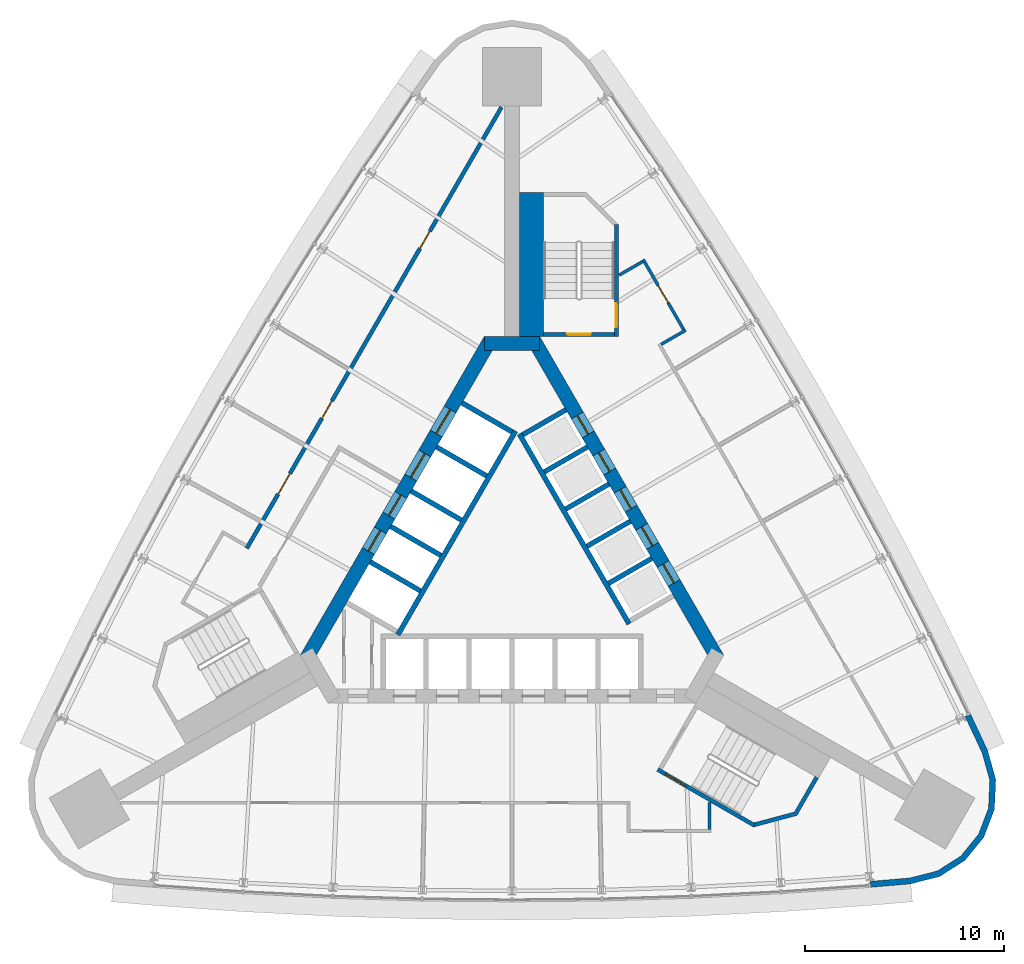
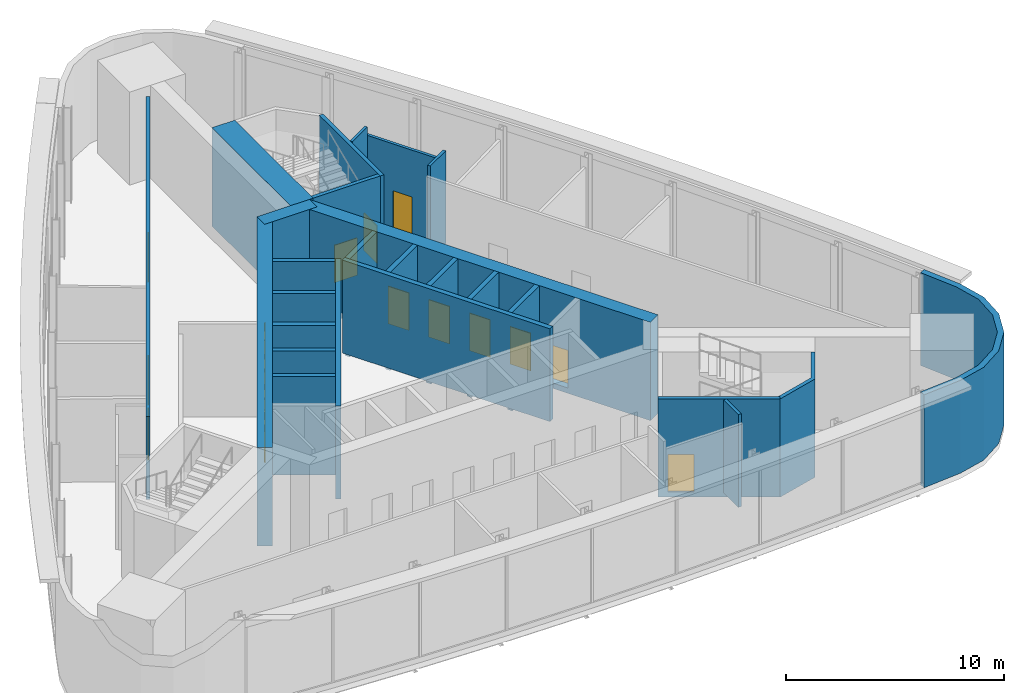
# One storey, part 7 of 11: 26 walls, 16 doors, 16 openings.
"""IFC4 building model written with IfcOpenShell, lengths in metres."""

from ifc_helpers import new_model, si_unit, direction, frame, frame_2d, origin, place, context, subcontext, project, spatial, polyline, rectangle, outline, extrude, material, layer, layer_set, type_object, element, fill, save


model = new_model("IFC4")

# Units and contexts
model_context = context("Model", 3, precision=1e-05, world=origin(), true_north=direction((0.0, 1.0)))
body_context = subcontext(model_context, "Body", "Model", "MODEL_VIEW")
ifc_project = project(units=[si_unit("LENGTHUNIT", "METRE"), si_unit("AREAUNIT", "SQUARE_METRE"), si_unit("VOLUMEUNIT", "CUBIC_METRE"), si_unit("PLANEANGLEUNIT", "RADIAN"), si_unit("MASSUNIT", "GRAM", prefix="KILO")], contexts=[model_context])

# Site, building, storey
site_placement = place(None, origin())
site = spatial("IfcSite", under=ifc_project, at=site_placement, CompositionType="ELEMENT")
building_placement = place(site_placement, origin())
building = spatial("IfcBuilding", under=site, at=building_placement, Name="Noor Cloister Tower", CompositionType="ELEMENT")
storey_placement = place(building_placement, frame((0.0, 0.0, 134.699951171875)))
storey = spatial("IfcBuildingStorey", under=building, at=storey_placement, Name="L34", CompositionType="ELEMENT", Elevation=134.699951171875)

# Wall, openings, doors
ifc_material_1 = material(Name="Concrete C70/85", Category="concrete")
ifc_layer_1 = layer(ifc_material_1, 0.699951171875)
ifc_layer_set_1 = layer_set([ifc_layer_1], Name="Core wall 700 C70/85")
wall_type_1 = type_object("IfcWallType", Name="Core wall 700 C70/85", PredefinedType="SHEAR", material=ifc_layer_set_1)
wall_1_placement = place(storey_placement, frame((10.311279296875, -4.703125, -0.300048828125), z_axis=(0.0, 0.0, 1.0), x_axis=(-0.500001446645, 0.866024568562, 0.0)))
wall_1 = element("IfcWall", 1, at=wall_1_placement, inside=storey, type_object=wall_type_1, Name="Core wall L34 3", PredefinedType="SHEAR", context=body_context, shape_type="SweptSolid", body=[
    extrude(rectangle(XDim=18.45751953125, YDim=0.699951171875, at=frame_2d((9.228759765625, 0.0))), origin(), (0.0, 0.0, 1.0), 5.5),
])
opening_1_placement = place(wall_1_placement, frame((4.378662109375, 0.0, 0.300048828125)))
opening_1 = element("IfcOpeningElement", 2, at=opening_1_placement, cuts=wall_1, Name="Opening L34-HR1", PredefinedType="OPENING", context=body_context, shape_type="SweptSolid", body=[
    extrude(rectangle(XDim=1.10009765625, YDim=2.10009765625, at=frame_2d((0.550048828125, 1.050048828125))), frame((0.0, 0.35986328125, 0.0), z_axis=(0.0, -1.0, 0.0), x_axis=(1.0, 0.0, 0.0)), (0.0, 0.0, 1.0), 0.719970703125),
])
opening_2_placement = place(wall_1_placement, frame((6.52880859375, 0.0, 0.300048828125)))
opening_2 = element("IfcOpeningElement", 3, at=opening_2_placement, cuts=wall_1, Name="Opening L34-HR2", PredefinedType="OPENING", context=body_context, shape_type="SweptSolid", body=[
    extrude(rectangle(XDim=1.10009765625, YDim=2.10009765625, at=frame_2d((0.550048828125, 1.050048828125))), frame((0.0, 0.35986328125, 0.0), z_axis=(0.0, -1.0, 0.0), x_axis=(1.0, 0.0, 0.0)), (0.0, 0.0, 1.0), 0.719970703125),
])
opening_3_placement = place(wall_1_placement, frame((8.6787109375, 0.0, 0.300048828125)))
opening_3 = element("IfcOpeningElement", 4, at=opening_3_placement, cuts=wall_1, Name="Opening L34-HR3", PredefinedType="OPENING", context=body_context, shape_type="SweptSolid", body=[
    extrude(rectangle(XDim=1.10009765625, YDim=2.10009765625, at=frame_2d((0.550048828125, 1.050048828125))), frame((0.0, 0.35986328125, 0.0), z_axis=(0.0, -1.0, 0.0), x_axis=(1.0, 0.0, 0.0)), (0.0, 0.0, 1.0), 0.719970703125),
])
opening_4_placement = place(wall_1_placement, frame((10.82861328125, 0.0, 0.300048828125)))
opening_4 = element("IfcOpeningElement", 5, at=opening_4_placement, cuts=wall_1, Name="Opening L34-HR4", PredefinedType="OPENING", context=body_context, shape_type="SweptSolid", body=[
    extrude(rectangle(XDim=1.10009765625, YDim=2.10009765625, at=frame_2d((0.550048828125, 1.050048828125))), frame((0.0, 0.35986328125, 0.0), z_axis=(0.0, -1.0, 0.0), x_axis=(1.0, 0.0, 0.0)), (0.0, 0.0, 1.0), 0.719970703125),
])
opening_5_placement = place(wall_1_placement, frame((12.978759765625, 0.0, 0.300048828125)))
opening_5 = element("IfcOpeningElement", 6, at=opening_5_placement, cuts=wall_1, Name="Opening L34-HR5", PredefinedType="OPENING", context=body_context, shape_type="SweptSolid", body=[
    extrude(rectangle(XDim=1.10009765625, YDim=2.10009765625, at=frame_2d((0.550048828125, 1.050048828125))), frame((0.0, 0.35986328125, 0.0), z_axis=(0.0, -1.0, 0.0), x_axis=(1.0, 0.0, 0.0)), (0.0, 0.0, 1.0), 0.719970703125),
])
ifc_material_2 = material(Name="Stainless steel", Category="steel")
door_type_1 = type_object("IfcDoorType", Name="Lift landing door 1100 x 2100", OperationType="DOUBLE_DOOR_SLIDING", PredefinedType="DOOR", material=ifc_material_2)
door_1_placement = place(opening_1_placement, origin())
door_1 = element("IfcDoor", 7, at=door_1_placement, inside=storey, type_object=door_type_1, Name="Landing door HR1 L34", OperationType="DOUBLE_DOOR_SLIDING", OverallHeight=2.10009765625, OverallWidth=1.10009765625, PredefinedType="DOOR", context=body_context, shape_type="SweptSolid", body=[
    extrude(rectangle(XDim=1.10009765625, YDim=2.10009765625, at=frame_2d((0.550048828125, 1.050048828125))), frame((0.0, 0.02490234375, 0.0), z_axis=(0.0, -1.0, 0.0), x_axis=(1.0, 0.0, 0.0)), (0.0, 0.0, 1.0), 0.050048828125),
])
fill(opening_1, door_1)
door_2_placement = place(opening_2_placement, origin())
door_2 = element("IfcDoor", 8, at=door_2_placement, inside=storey, type_object=door_type_1, Name="Landing door HR2 L34", OperationType="DOUBLE_DOOR_SLIDING", OverallHeight=2.10009765625, OverallWidth=1.10009765625, PredefinedType="DOOR", context=body_context, shape_type="SweptSolid", body=[
    extrude(rectangle(XDim=1.10009765625, YDim=2.10009765625, at=frame_2d((0.550048828125, 1.050048828125))), frame((0.0, 0.02490234375, 0.0), z_axis=(0.0, -1.0, 0.0), x_axis=(1.0, 0.0, 0.0)), (0.0, 0.0, 1.0), 0.050048828125),
])
fill(opening_2, door_2)
door_3_placement = place(opening_3_placement, origin())
door_3 = element("IfcDoor", 9, at=door_3_placement, inside=storey, type_object=door_type_1, Name="Landing door HR3 L34", OperationType="DOUBLE_DOOR_SLIDING", OverallHeight=2.10009765625, OverallWidth=1.10009765625, PredefinedType="DOOR", context=body_context, shape_type="SweptSolid", body=[
    extrude(rectangle(XDim=1.10009765625, YDim=2.10009765625, at=frame_2d((0.550048828125, 1.050048828125))), frame((0.0, 0.02490234375, 0.0), z_axis=(0.0, -1.0, 0.0), x_axis=(1.0, 0.0, 0.0)), (0.0, 0.0, 1.0), 0.050048828125),
])
fill(opening_3, door_3)
door_4_placement = place(opening_4_placement, origin())
door_4 = element("IfcDoor", 10, at=door_4_placement, inside=storey, type_object=door_type_1, Name="Landing door HR4 L34", OperationType="DOUBLE_DOOR_SLIDING", OverallHeight=2.10009765625, OverallWidth=1.10009765625, PredefinedType="DOOR", context=body_context, shape_type="SweptSolid", body=[
    extrude(rectangle(XDim=1.10009765625, YDim=2.10009765625, at=frame_2d((0.550048828125, 1.050048828125))), frame((0.0, 0.02490234375, 0.0), z_axis=(0.0, -1.0, 0.0), x_axis=(1.0, 0.0, 0.0)), (0.0, 0.0, 1.0), 0.050048828125),
])
fill(opening_4, door_4)
door_5_placement = place(opening_5_placement, origin())
door_5 = element("IfcDoor", 11, at=door_5_placement, inside=storey, type_object=door_type_1, Name="Landing door HR5 L34", OperationType="DOUBLE_DOOR_SLIDING", OverallHeight=2.10009765625, OverallWidth=1.10009765625, PredefinedType="DOOR", context=body_context, shape_type="SweptSolid", body=[
    extrude(rectangle(XDim=1.10009765625, YDim=2.10009765625, at=frame_2d((0.550048828125, 1.050048828125))), frame((0.0, 0.02490234375, 0.0), z_axis=(0.0, -1.0, 0.0), x_axis=(1.0, 0.0, 0.0)), (0.0, 0.0, 1.0), 0.050048828125),
])
fill(opening_5, door_5)

# Wall
wall_2_placement = place(storey_placement, frame((1.3857421875, 11.1064453125, -0.300048828125), z_axis=(0.0, 0.0, 1.0), x_axis=(-1.0, 0.0, 0.0)))
element("IfcWall", 12, at=wall_2_placement, inside=storey, type_object=wall_type_1, Name="Core wall L34 4", PredefinedType="SHEAR", context=body_context, shape_type="SweptSolid", body=[
    extrude(rectangle(XDim=2.771484375, YDim=0.699951171875, at=frame_2d((1.3857421875, 0.0))), origin(), (0.0, 0.0, 1.0), 5.5),
])

# Wall, openings, doors
wall_3_placement = place(storey_placement, frame((-1.08251953125, 11.281494140625, -0.300048828125), z_axis=(0.0, 0.0, 1.0), x_axis=(-0.500001446645, -0.866024568562, 0.0)))
wall_3 = element("IfcWall", 13, at=wall_3_placement, inside=storey, type_object=wall_type_1, Name="Core wall L34 5", PredefinedType="SHEAR", context=body_context, shape_type="SweptSolid", body=[
    extrude(rectangle(XDim=18.45751953125, YDim=0.699951171875, at=frame_2d((9.228759765625, 0.0))), origin(), (0.0, 0.0, 1.0), 5.5),
])
opening_6_placement = place(wall_3_placement, frame((4.02880859375, 0.0, 0.300048828125)))
opening_6 = element("IfcOpeningElement", 14, at=opening_6_placement, cuts=wall_3, Name="Opening L34-SH1", PredefinedType="OPENING", context=body_context, shape_type="SweptSolid", body=[
    extrude(rectangle(XDim=1.39990234375, YDim=2.10009765625, at=frame_2d((0.699951171875, 1.050048828125))), frame((0.0, 0.35986328125, 0.0), z_axis=(0.0, -1.0, 0.0), x_axis=(1.0, 0.0, 0.0)), (0.0, 0.0, 1.0), 0.719970703125),
])
opening_7_placement = place(wall_3_placement, frame((6.57861328125, 0.0, 0.300048828125)))
opening_7 = element("IfcOpeningElement", 15, at=opening_7_placement, cuts=wall_3, Name="Opening L34-SH2", PredefinedType="OPENING", context=body_context, shape_type="SweptSolid", body=[
    extrude(rectangle(XDim=1.39990234375, YDim=2.10009765625, at=frame_2d((0.699951171875, 1.050048828125))), frame((0.0, 0.35986328125, 0.0), z_axis=(0.0, -1.0, 0.0), x_axis=(1.0, 0.0, 0.0)), (0.0, 0.0, 1.0), 0.719970703125),
])
opening_8_placement = place(wall_3_placement, frame((8.978759765625, 0.0, 0.300048828125)))
opening_8 = element("IfcOpeningElement", 16, at=opening_8_placement, cuts=wall_3, Name="Opening L34-FF1", PredefinedType="OPENING", context=body_context, shape_type="SweptSolid", body=[
    extrude(rectangle(XDim=1.199951171875, YDim=2.10009765625, at=frame_2d((0.60009765625, 1.050048828125))), frame((0.0, 0.35986328125, 0.0), z_axis=(0.0, -1.0, 0.0), x_axis=(1.0, 0.0, 0.0)), (0.0, 0.0, 1.0), 0.719970703125),
])
opening_9_placement = place(wall_3_placement, frame((11.02880859375, 0.0, 0.300048828125)))
opening_9 = element("IfcOpeningElement", 17, at=opening_9_placement, cuts=wall_3, Name="Opening L34-FF2", PredefinedType="OPENING", context=body_context, shape_type="SweptSolid", body=[
    extrude(rectangle(XDim=1.199951171875, YDim=2.10009765625, at=frame_2d((0.60009765625, 1.050048828125))), frame((0.0, 0.35986328125, 0.0), z_axis=(0.0, -1.0, 0.0), x_axis=(1.0, 0.0, 0.0)), (0.0, 0.0, 1.0), 0.719970703125),
])
ifc_material_3 = material(Name="Stainless steel", Category="steel")
door_type_2 = type_object("IfcDoorType", Name="Lift landing door 1200 x 2100", OperationType="DOUBLE_DOOR_SLIDING", PredefinedType="DOOR", material=ifc_material_3)
door_6_placement = place(opening_8_placement, origin())
door_6 = element("IfcDoor", 18, at=door_6_placement, inside=storey, type_object=door_type_2, Name="Landing door FF1 L34", OperationType="DOUBLE_DOOR_SLIDING", OverallHeight=2.10009765625, OverallWidth=1.199951171875, PredefinedType="DOOR", context=body_context, shape_type="SweptSolid", body=[
    extrude(rectangle(XDim=1.199951171875, YDim=2.10009765625, at=frame_2d((0.60009765625, 1.050048828125))), frame((0.0, 0.02490234375, 0.0), z_axis=(0.0, -1.0, 0.0), x_axis=(1.0, 0.0, 0.0)), (0.0, 0.0, 1.0), 0.050048828125),
])
fill(opening_8, door_6)
door_7_placement = place(opening_9_placement, origin())
door_7 = element("IfcDoor", 19, at=door_7_placement, inside=storey, type_object=door_type_2, Name="Landing door FF2 L34", OperationType="DOUBLE_DOOR_SLIDING", OverallHeight=2.10009765625, OverallWidth=1.199951171875, PredefinedType="DOOR", context=body_context, shape_type="SweptSolid", body=[
    extrude(rectangle(XDim=1.199951171875, YDim=2.10009765625, at=frame_2d((0.60009765625, 1.050048828125))), frame((0.0, 0.02490234375, 0.0), z_axis=(0.0, -1.0, 0.0), x_axis=(1.0, 0.0, 0.0)), (0.0, 0.0, 1.0), 0.050048828125),
])
fill(opening_9, door_7)
ifc_material_4 = material(Name="Stainless steel", Category="steel")
door_type_3 = type_object("IfcDoorType", Name="Lift landing door 1400 x 2100", OperationType="DOUBLE_DOOR_SLIDING", PredefinedType="DOOR", material=ifc_material_4)
door_8_placement = place(opening_6_placement, origin())
door_8 = element("IfcDoor", 20, at=door_8_placement, inside=storey, type_object=door_type_3, Name="Landing door SH1 L34", OperationType="DOUBLE_DOOR_SLIDING", OverallHeight=2.10009765625, OverallWidth=1.39990234375, PredefinedType="DOOR", context=body_context, shape_type="SweptSolid", body=[
    extrude(rectangle(XDim=1.39990234375, YDim=2.10009765625, at=frame_2d((0.699951171875, 1.050048828125))), frame((0.0, 0.02490234375, 0.0), z_axis=(0.0, -1.0, 0.0), x_axis=(1.0, 0.0, 0.0)), (0.0, 0.0, 1.0), 0.050048828125),
])
fill(opening_6, door_8)
door_9_placement = place(opening_7_placement, origin())
door_9 = element("IfcDoor", 21, at=door_9_placement, inside=storey, type_object=door_type_3, Name="Landing door SH2 L34", OperationType="DOUBLE_DOOR_SLIDING", OverallHeight=2.10009765625, OverallWidth=1.39990234375, PredefinedType="DOOR", context=body_context, shape_type="SweptSolid", body=[
    extrude(rectangle(XDim=1.39990234375, YDim=2.10009765625, at=frame_2d((0.699951171875, 1.050048828125))), frame((0.0, 0.02490234375, 0.0), z_axis=(0.0, -1.0, 0.0), x_axis=(1.0, 0.0, 0.0)), (0.0, 0.0, 1.0), 0.050048828125),
])
fill(opening_7, door_9)

# Walls
ifc_material_5 = material(Name="Limestone", Category="masonry")
ifc_layer_2 = layer(ifc_material_5, 0.300048828125)
ifc_layer_set_2 = layer_set([ifc_layer_2], Name="Limestone cladding 300")
wall_type_2 = type_object("IfcWallType", Name="Limestone cladding 300", PredefinedType="NOTDEFINED", material=ifc_layer_set_2)
wall_4_placement = place(storey_placement, origin())
element("IfcWall", 22, at=wall_4_placement, inside=storey, type_object=wall_type_2, Name="Limestone pier cladding L34 2.1", PredefinedType="NOTDEFINED", context=body_context, shape_type="SweptSolid", body=[
    extrude(outline(polyline([(17.980224609375, -16.1689453125), (19.99853515625, -15.995361328125), (21.44921875, -15.625244140625), (22.710693359375, -14.81884765625), (23.65576171875, -13.65771484375), (24.18896484375, -12.258544921875), (24.256591796875, -10.762939453125), (23.851806640625, -9.321533203125), (22.992919921875, -7.48681640625), (22.72119140625, -7.614013671875), (23.569580078125, -9.42626953125), (23.95458984375, -10.797607421875), (23.891357421875, -12.19677734375), (23.392578125, -13.505859375), (22.508544921875, -14.59228515625), (21.328369140625, -15.3466796875), (19.9482421875, -15.69873046875), (17.95458984375, -15.8701171875), (17.980224609375, -16.1689453125)])), origin(), (0.0, 0.0, 1.0), 5.199951171875),
])
ifc_material_6 = material(Name="Concrete C70/85", Category="concrete")
ifc_layer_3 = layer(ifc_material_6, 0.25)
ifc_layer_set_3 = layer_set([ifc_layer_3], Name="Shaft wall 250 C70/85")
wall_type_3 = type_object("IfcWallType", Name="Shaft wall 250 C70/85", PredefinedType="PARTITIONING", material=ifc_layer_set_3)
wall_5_placement = place(storey_placement, frame((7.00634765625, 0.3212890625, -0.300048828125), z_axis=(0.0, 0.0, 1.0), x_axis=(-0.866022959057, -0.500004234368, 0.0)))
element("IfcWall", 23, at=wall_5_placement, inside=storey, type_object=wall_type_3, Name="Lift shaft wall L34 NE 2", PredefinedType="PARTITIONING", context=body_context, shape_type="SweptSolid", body=[
    extrude(rectangle(XDim=2.5, YDim=0.25, at=frame_2d((1.25, 0.0))), origin(), (0.0, 0.0, 1.0), 5.5),
])
wall_6_placement = place(storey_placement, frame((5.931396484375, 2.18310546875, -0.300048828125), z_axis=(0.0, 0.0, 1.0), x_axis=(-0.866047370643, -0.499961950354, 0.0)))
element("IfcWall", 24, at=wall_6_placement, inside=storey, type_object=wall_type_3, Name="Lift shaft wall L34 NE 3", PredefinedType="PARTITIONING", context=body_context, shape_type="SweptSolid", body=[
    extrude(rectangle(XDim=2.500244140625, YDim=0.25, at=frame_2d((1.25, 0.0))), origin(), (0.0, 0.0, 1.0), 5.5),
])
for number, where, z_axis, x_axis, name in (
    (25, (4.856201171875, 4.045166015625, -0.300048828125), (0.0, 0.0, 1.0), (-0.866022959057, -0.500004234368, 0.0), "Lift shaft wall L34 NE 4"),
    (26, (3.78125, 5.906982421875, -0.300048828125), (0.0, 0.0, 1.0), (-0.866022959057, -0.500004234368, 0.0), "Lift shaft wall L34 NE 5"),
    (27, (2.706298828125, 7.76904296875, -0.300048828125), (0.0, 0.0, 1.0), (-0.866022959057, -0.500004234368, 0.0), "Lift shaft wall L34 NE 6"),
):
    element("IfcWall", number, at=place(storey_placement, frame(where, z_axis=z_axis, x_axis=x_axis)), inside=storey, type_object=wall_type_3, Name=name, PredefinedType="PARTITIONING", context=body_context, shape_type="SweptSolid", body=[
        extrude(rectangle(XDim=2.5, YDim=0.25, at=frame_2d((1.25, 0.0))), origin(), (0.0, 0.0, 1.0), 5.5),
    ])
wall_7_placement = place(storey_placement, frame((5.870361328125, -2.96142578125, 0.0), z_axis=(0.0, 0.0, 1.0), x_axis=(-0.50000615651, 0.866021849293, 0.0)))
element("IfcWall", 28, at=wall_7_placement, inside=storey, type_object=wall_type_3, Name="Lift shaft back wall L34 NE", PredefinedType="PARTITIONING", context=body_context, shape_type="SweptSolid", body=[
    extrude(rectangle(XDim=10.999755859375, YDim=0.25, at=frame_2d((5.5, 0.0))), origin(), (0.0, 0.0, 1.0), 5.199951171875),
])
wall_8_placement = place(storey_placement, frame((-2.50634765625, 8.115478515625, -0.300048828125), z_axis=(0.0, 0.0, 1.0), x_axis=(0.865996321171, -0.50005036918, 0.0)))
element("IfcWall", 29, at=wall_8_placement, inside=storey, type_object=wall_type_3, Name="Lift shaft wall L34 NW 1", PredefinedType="PARTITIONING", context=body_context, shape_type="SweptSolid", body=[
    extrude(rectangle(XDim=2.900146484375, YDim=0.25, at=frame_2d((1.4501953125, 0.0))), origin(), (0.0, 0.0, 1.0), 5.5),
])
for number, where, z_axis, x_axis, name in (
    (30, (-3.78125, 5.906982421875, -0.300048828125), (0.0, 0.0, 1.0), (0.866032775405, -0.499987231761, 0.0), "Lift shaft wall L34 NW 2"),
    (31, (-5.056396484375, 3.69873046875, -0.300048828125), (0.0, 0.0, 1.0), (0.866032775405, -0.499987231761, 0.0), "Lift shaft wall L34 NW 3"),
    (32, (-6.081298828125, 1.92333984375, -0.300048828125), (0.0, 0.0, 1.0), (0.866032775405, -0.499987231761, 0.0), "Lift shaft wall L34 NW 4"),
    (33, (-7.106201171875, 0.14794921875, -0.300048828125), (0.0, 0.0, 1.0), (0.866032775405, -0.499987231761, 0.0), "Lift shaft wall L34 NW 5"),
):
    element("IfcWall", number, at=place(storey_placement, frame(where, z_axis=z_axis, x_axis=x_axis)), inside=storey, type_object=wall_type_3, Name=name, PredefinedType="PARTITIONING", context=body_context, shape_type="SweptSolid", body=[
        extrude(rectangle(XDim=2.89990234375, YDim=0.25, at=frame_2d((1.449951171875, 0.0))), origin(), (0.0, 0.0, 1.0), 5.5),
    ])
wall_9_placement = place(storey_placement, frame((0.176025390625, 6.711181640625, 0.0), z_axis=(0.0, 0.0, 1.0), x_axis=(-0.500004227369, -0.866022963098, 0.0)))
element("IfcWall", 34, at=wall_9_placement, inside=storey, type_object=wall_type_3, Name="Lift shaft back wall L34 NW", PredefinedType="PARTITIONING", context=body_context, shape_type="SweptSolid", body=[
    extrude(rectangle(XDim=11.80029296875, YDim=0.25, at=frame_2d((5.900146484375, 0.0))), origin(), (0.0, 0.0, 1.0), 5.199951171875),
])
ifc_material_7 = material(Name="Concrete C70/85", Category="concrete")
ifc_layer_4 = layer(ifc_material_7, 1.2109375)
ifc_layer_set_4 = layer_set([ifc_layer_4], Name="Stair enclosure wall 1211 C70/85")
wall_type_4 = type_object("IfcWallType", Name="Stair enclosure wall 1211 C70/85", PredefinedType="SHEAR", material=ifc_layer_set_4)
wall_10_placement = place(storey_placement, frame((0.980224609375, 11.456298828125, -0.300048828125), z_axis=(0.0, 0.0, 1.0), x_axis=(0.0, 1.0, 0.0)))
element("IfcWall", 35, at=wall_10_placement, inside=storey, type_object=wall_type_4, Name="Stair enclosure wall ST1 L34 riser side", PredefinedType="SHEAR", context=body_context, shape_type="SweptSolid", body=[
    extrude(rectangle(XDim=7.2001953125, YDim=1.210693359375, at=frame_2d((3.60009765625, 0.0))), origin(), (0.0, 0.0, 1.0), 5.5),
])

# Wall, opening, door
ifc_material_8 = material(Name="Concrete C70/85", Category="concrete")
ifc_layer_5 = layer(ifc_material_8, 0.199951171875)
ifc_layer_set_5 = layer_set([ifc_layer_5], Name="Stair enclosure wall 200 C70/85")
wall_type_5 = type_object("IfcWallType", Name="Stair enclosure wall 200 C70/85", PredefinedType="SHEAR", material=ifc_layer_set_5)
wall_11_placement = place(storey_placement, frame((5.135498046875, 11.556396484375, -0.300048828125), z_axis=(0.0, 0.0, 1.0), x_axis=(-1.0, 0.0, 0.0)))
wall_11 = element("IfcWall", 36, at=wall_11_placement, inside=storey, type_object=wall_type_5, Name="Stair enclosure wall ST1 L34 near end", PredefinedType="SHEAR", context=body_context, shape_type="SweptSolid", body=[
    extrude(rectangle(XDim=3.5498046875, YDim=0.199951171875, at=frame_2d((1.77490234375, 0.0))), origin(), (0.0, 0.0, 1.0), 5.5),
])
opening_10_placement = place(wall_11_placement, frame((1.175048828125, 0.0, 0.300048828125)))
opening_10 = element("IfcOpeningElement", 37, at=opening_10_placement, cuts=wall_11, Name="Opening L34-ST1L", PredefinedType="OPENING", context=body_context, shape_type="SweptSolid", body=[
    extrude(rectangle(XDim=1.199951171875, YDim=2.10009765625, at=frame_2d((0.60009765625, 1.050048828125))), frame((0.0, 0.10986328125, 0.0), z_axis=(0.0, -1.0, 0.0), x_axis=(1.0, 0.0, 0.0)), (0.0, 0.0, 1.0), 0.219970703125),
])
ifc_material_9 = material(Name="Steel", Category="steel")
door_type_4 = type_object("IfcDoorType", Name="Stair door 1200 x 2100 FD120", OperationType="SINGLE_SWING_LEFT", PredefinedType="DOOR", material=ifc_material_9)
door_10_placement = place(opening_10_placement, origin())
door_10 = element("IfcDoor", 38, at=door_10_placement, inside=storey, type_object=door_type_4, Name="Stair door ST1 L34", OperationType="SINGLE_SWING_RIGHT", OverallHeight=2.10009765625, OverallWidth=1.199951171875, PredefinedType="DOOR", context=body_context, shape_type="SweptSolid", body=[
    extrude(rectangle(XDim=1.199951171875, YDim=2.10009765625, at=frame_2d((0.60009765625, 1.050048828125))), frame((0.0, 0.02490234375, 0.0), z_axis=(0.0, -1.0, 0.0), x_axis=(1.0, 0.0, 0.0)), (0.0, 0.0, 1.0), 0.050048828125),
])
fill(opening_10, door_10)

wall_12_placement = place(storey_placement, frame((5.235595703125, 11.456298828125, -0.300048828125), z_axis=(0.0, 0.0, 1.0), x_axis=(0.0, 1.0, 0.0)))
wall_12 = element("IfcWall", 39, at=wall_12_placement, inside=storey, type_object=wall_type_5, Name="Stair enclosure wall ST1 L34 outer side", PredefinedType="SHEAR", context=body_context, shape_type="SweptSolid", body=[
    extrude(rectangle(XDim=5.60009765625, YDim=0.199951171875, at=frame_2d((2.800048828125, 0.0))), origin(), (0.0, 0.0, 1.0), 5.5),
])
opening_11_placement = place(wall_12_placement, frame((0.449951171875, 0.0, 0.300048828125)))
opening_11 = element("IfcOpeningElement", 40, at=opening_11_placement, cuts=wall_12, Name="Opening L34-ST1C", PredefinedType="OPENING", context=body_context, shape_type="SweptSolid", body=[
    extrude(rectangle(XDim=1.199951171875, YDim=2.10009765625, at=frame_2d((0.60009765625, 1.050048828125))), frame((0.0, 0.10986328125, 0.0), z_axis=(0.0, -1.0, 0.0), x_axis=(1.0, 0.0, 0.0)), (0.0, 0.0, 1.0), 0.219970703125),
])
door_11_placement = place(opening_11_placement, origin())
door_11 = element("IfcDoor", 41, at=door_11_placement, inside=storey, type_object=door_type_4, Name="Stair door ST1 L34", OperationType="SINGLE_SWING_LEFT", OverallHeight=2.10009765625, OverallWidth=1.199951171875, PredefinedType="DOOR", context=body_context, shape_type="SweptSolid", body=[
    extrude(rectangle(XDim=1.199951171875, YDim=2.10009765625, at=frame_2d((0.60009765625, 1.050048828125))), frame((0.0, 0.02490234375, 0.0), z_axis=(0.0, -1.0, 0.0), x_axis=(1.0, 0.0, 0.0)), (0.0, 0.0, 1.0), 0.050048828125),
])
fill(opening_11, door_11)

wall_13_placement = place(storey_placement, frame((7.3037109375, -10.262451171875, -0.300048828125), z_axis=(0.0, 0.0, 1.0), x_axis=(0.866026594901, -0.49999793692, 0.0)))
wall_13 = element("IfcWall", 42, at=wall_13_placement, inside=storey, type_object=wall_type_5, Name="Stair enclosure wall ST3 L34 outer side", PredefinedType="SHEAR", context=body_context, shape_type="SweptSolid", body=[
    extrude(rectangle(XDim=5.60009765625, YDim=0.199951171875, at=frame_2d((2.800048828125, 0.0))), origin(), (0.0, 0.0, 1.0), 5.5),
])
opening_12_placement = place(wall_13_placement, frame((0.449951171875, 0.0, 0.300048828125)))
opening_12 = element("IfcOpeningElement", 43, at=opening_12_placement, cuts=wall_13, Name="Opening L34-ST3C", PredefinedType="OPENING", context=body_context, shape_type="SweptSolid", body=[
    extrude(rectangle(XDim=1.199951171875, YDim=2.10009765625, at=frame_2d((0.60009765625, 1.050048828125))), frame((0.0, 0.10986328125, 0.0), z_axis=(0.0, -1.0, 0.0), x_axis=(1.0, 0.0, 0.0)), (0.0, 0.0, 1.0), 0.219970703125),
])
door_12_placement = place(opening_12_placement, origin())
door_12 = element("IfcDoor", 44, at=door_12_placement, inside=storey, type_object=door_type_4, Name="Stair door ST3 L34", OperationType="SINGLE_SWING_LEFT", OverallHeight=2.10009765625, OverallWidth=1.199951171875, PredefinedType="DOOR", context=body_context, shape_type="SweptSolid", body=[
    extrude(rectangle(XDim=1.199951171875, YDim=2.10009765625, at=frame_2d((0.60009765625, 1.050048828125))), frame((0.0, 0.02490234375, 0.0), z_axis=(0.0, -1.0, 0.0), x_axis=(1.0, 0.0, 0.0)), (0.0, 0.0, 1.0), 0.050048828125),
])
fill(opening_12, door_12)

# Walls
ifc_material_10 = material(Name="Concrete C70/85", Category="concrete")
wall_type_6 = type_object("IfcWallType", Name="Stair far end wall C70/85", PredefinedType="SHEAR", material=ifc_material_10)
wall_14_placement = place(storey_placement, frame((0.0, 0.0, -0.300048828125)))
element("IfcWall", 45, at=wall_14_placement, inside=storey, type_object=wall_type_6, Name="Stair enclosure wall ST3 L34 far end", PredefinedType="SHEAR", context=body_context, shape_type="SweptSolid", body=[
    extrude(outline(polyline([(12.103515625, -13.14892578125), (14.2890625, -12.5634765625), (15.364013671875, -10.701416015625), (15.19091796875, -10.601318359375), (14.1572265625, -12.3916015625), (12.131591796875, -12.934326171875), (12.20361328125, -12.975830078125), (12.20361328125, -12.975830078125), (12.20361328125, -12.975830078125), (12.20361328125, -12.975830078125), (12.20361328125, -12.975830078125), (12.20361328125, -12.975830078125), (12.20361328125, -12.975830078125), (12.20361328125, -12.975830078125), (12.20361328125, -12.975830078125), (12.20361328125, -12.975830078125), (12.20361328125, -12.975830078125), (12.20361328125, -12.975830078125), (12.20361328125, -12.975830078125), (12.20361328125, -12.975830078125), (12.20361328125, -12.975830078125), (12.20361328125, -12.975830078125), (12.20361328125, -12.975830078125), (12.103515625, -13.14892578125)])), origin(), (0.0, 0.0, 1.0), 5.5),
])
ifc_material_11 = material(Name="Fire-rated gypsum board partition on steel studs, 150 mm", Category="steel")
ifc_layer_6 = layer(ifc_material_11, 0.14990234375)
ifc_layer_set_6 = layer_set([ifc_layer_6], Name="Upper floor corridor wall 150")
wall_type_7 = type_object("IfcWallType", Name="Upper floor corridor wall 150", PredefinedType="PARTITIONING", material=ifc_layer_set_6)
wall_15_placement = place(storey_placement, frame((9.892578125, -13.27490234375, 0.0), z_axis=(0.0, 0.0, 1.0), x_axis=(0.0, 1.0, 0.0)))
element("IfcWall", 46, at=wall_15_placement, inside=storey, type_object=wall_type_7, Name="Upper floor corridor wall 150 L34 016", PredefinedType="PARTITIONING", context=body_context, shape_type="SweptSolid", body=[
    extrude(rectangle(XDim=1.359130859375, YDim=0.14990234375, at=frame_2d((0.6796875, 0.0))), origin(), (0.0, 0.0, 1.0), 5.199951171875),
])
wall_16_placement = place(storey_placement, frame((7.478271484375, 11.0537109375, 0.0), z_axis=(0.0, 0.0, 1.0), x_axis=(0.86606531219, 0.499930870242, 0.0)))
element("IfcWall", 47, at=wall_16_placement, inside=storey, type_object=wall_type_7, Name="Upper floor corridor wall 150 L34 021", PredefinedType="PARTITIONING", context=body_context, shape_type="SweptSolid", body=[
    extrude(rectangle(XDim=1.419677734375, YDim=0.14990234375, at=frame_2d((0.7099609375, 0.0))), origin(), (0.0, 0.0, 1.0), 5.199951171875),
])

# Wall, opening, door
wall_17_placement = place(storey_placement, frame((6.57861328125, 15.305419921875, 0.0), z_axis=(0.0, 0.0, 1.0), x_axis=(0.49997076497, -0.866042281979, 0.0)))
wall_17 = element("IfcWall", 48, at=wall_17_placement, inside=storey, type_object=wall_type_7, Name="Upper floor corridor wall 150 L34 022", PredefinedType="PARTITIONING", context=body_context, shape_type="SweptSolid", body=[
    extrude(rectangle(XDim=4.056884765625, YDim=0.14990234375, at=frame_2d((2.0283203125, 0.0))), origin(), (0.0, 0.0, 1.0), 4.72314453125),
])
opening_13_placement = place(wall_17_placement, frame((1.495361328125, 0.0, 0.0)))
opening_13 = element("IfcOpeningElement", 49, at=opening_13_placement, cuts=wall_17, Name="Opening L34-013", PredefinedType="OPENING", context=body_context, shape_type="SweptSolid", body=[
    extrude(rectangle(XDim=1.0, YDim=2.10009765625, at=frame_2d((0.5, 1.050048828125))), frame((0.0, 0.0849609375, 0.0), z_axis=(0.0, -1.0, 0.0), x_axis=(1.0, 0.0, 0.0)), (0.0, 0.0, 1.0), 0.169921875),
])
ifc_material_12 = material(Name="Timber door leaf with steel frame", Category="steel")
door_type_5 = type_object("IfcDoorType", Name="Public room door 1000", OperationType="NOTDEFINED", PredefinedType="DOOR", material=ifc_material_12)
door_13_placement = place(opening_13_placement, origin())
door_13 = element("IfcDoor", 50, at=door_13_placement, inside=storey, type_object=door_type_5, Name="Public room door 1000 L34-013", OperationType="SINGLE_SWING_LEFT", OverallHeight=2.10009765625, OverallWidth=1.0, PredefinedType="DOOR", context=body_context, shape_type="SweptSolid", body=[
    extrude(rectangle(XDim=1.0, YDim=2.10009765625, at=frame_2d((0.5, 1.050048828125))), frame((0.0, 0.02490234375, 0.0), z_axis=(0.0, -1.0, 0.0), x_axis=(1.0, 0.0, 0.0)), (0.0, 0.0, 1.0), 0.050048828125),
])
fill(opening_13, door_13)

# Wall
wall_18_placement = place(storey_placement, frame((6.550048828125, 15.20458984375, 0.0), z_axis=(0.0, 0.0, 1.0), x_axis=(-0.865979171045, -0.500080068905, 0.0)))
element("IfcWall", 51, at=wall_18_placement, inside=storey, type_object=wall_type_7, Name="Upper floor corridor wall 150 L34 023", PredefinedType="PARTITIONING", context=body_context, shape_type="SweptSolid", body=[
    extrude(rectangle(XDim=1.359130859375, YDim=0.14990234375, at=frame_2d((0.6796875, 0.0))), origin(), (0.0, 0.0, 1.0), 5.199951171875),
])

# Wall, openings, doors
ifc_material_13 = material(Name="Concrete block wall, 200 mm", Category="concrete")
ifc_layer_7 = layer(ifc_material_13, 0.199951171875)
ifc_layer_set_7 = layer_set([ifc_layer_7], Name="Upper floor plant room wall 200")
wall_type_8 = type_object("IfcWallType", Name="Upper floor plant room wall 200", PredefinedType="PARTITIONING", material=ifc_layer_set_7)
wall_19_placement = place(storey_placement, frame((-13.2958984375, 0.8271484375, 0.0), z_axis=(0.0, 0.0, 1.0), x_axis=(0.499999658466, 0.866025600969, 0.0)))
wall_19 = element("IfcWall", 52, at=wall_19_placement, inside=storey, type_object=wall_type_8, Name="Upper floor plant room wall 200 L34 004", PredefinedType="PARTITIONING", context=body_context, shape_type="SweptSolid", body=[
    extrude(rectangle(XDim=25.53955078125, YDim=0.199951171875, at=frame_2d((12.769775390625, 0.0))), origin(), (0.0, 0.0, 1.0), 4.64697265625),
])
opening_14_placement = place(wall_19_placement, frame((17.363037109375, 0.0, 0.0)))
opening_14 = element("IfcOpeningElement", 53, at=opening_14_placement, cuts=wall_19, Name="Opening L34-001", PredefinedType="OPENING", context=body_context, shape_type="SweptSolid", body=[
    extrude(rectangle(XDim=1.0, YDim=2.10009765625, at=frame_2d((0.5, 1.050048828125))), frame((0.0, 0.10986328125, 0.0), z_axis=(0.0, -1.0, 0.0), x_axis=(1.0, 0.0, 0.0)), (0.0, 0.0, 1.0), 0.219970703125),
])
opening_15_placement = place(wall_19_placement, frame((7.527587890625, 0.0, 0.0)))
opening_15 = element("IfcOpeningElement", 54, at=opening_15_placement, cuts=wall_19, Name="Opening L34-002", PredefinedType="OPENING", context=body_context, shape_type="SweptSolid", body=[
    extrude(rectangle(XDim=1.0, YDim=2.10009765625, at=frame_2d((0.5, 1.050048828125))), frame((0.0, 0.10986328125, 0.0), z_axis=(0.0, -1.0, 0.0), x_axis=(1.0, 0.0, 0.0)), (0.0, 0.0, 1.0), 0.219970703125),
])
opening_16_placement = place(wall_19_placement, frame((3.131591796875, 0.0, 0.0)))
opening_16 = element("IfcOpeningElement", 55, at=opening_16_placement, cuts=wall_19, Name="Opening L34-003", PredefinedType="OPENING", context=body_context, shape_type="SweptSolid", body=[
    extrude(rectangle(XDim=1.199951171875, YDim=2.10009765625, at=frame_2d((0.60009765625, 1.050048828125))), frame((0.0, 0.10986328125, 0.0), z_axis=(0.0, -1.0, 0.0), x_axis=(1.0, 0.0, 0.0)), (0.0, 0.0, 1.0), 0.219970703125),
])
ifc_material_14 = material(Name="Timber door leaf with steel frame", Category="steel")
door_type_6 = type_object("IfcDoorType", Name="Protected lobby door 1200", OperationType="NOTDEFINED", PredefinedType="DOOR", material=ifc_material_14)
door_14_placement = place(opening_16_placement, origin())
door_14 = element("IfcDoor", 56, at=door_14_placement, inside=storey, type_object=door_type_6, Name="Protected lobby door 1200 L34-003", OperationType="SINGLE_SWING_LEFT", OverallHeight=2.10009765625, OverallWidth=1.199951171875, PredefinedType="DOOR", context=body_context, shape_type="SweptSolid", body=[
    extrude(rectangle(XDim=1.199951171875, YDim=2.10009765625, at=frame_2d((0.60009765625, 1.050048828125))), frame((0.0, 0.02490234375, 0.0), z_axis=(0.0, -1.0, 0.0), x_axis=(1.0, 0.0, 0.0)), (0.0, 0.0, 1.0), 0.050048828125),
])
fill(opening_16, door_14)
ifc_material_15 = material(Name="Timber door leaf with steel frame", Category="steel")
door_type_7 = type_object("IfcDoorType", Name="Public room door 1000 FD90", OperationType="NOTDEFINED", PredefinedType="DOOR", material=ifc_material_15)
door_15_placement = place(opening_14_placement, origin())
door_15 = element("IfcDoor", 57, at=door_15_placement, inside=storey, type_object=door_type_7, Name="Public room door 1000 L34-001", OperationType="SINGLE_SWING_RIGHT", OverallHeight=2.10009765625, OverallWidth=1.0, PredefinedType="DOOR", context=body_context, shape_type="SweptSolid", body=[
    extrude(rectangle(XDim=1.0, YDim=2.10009765625, at=frame_2d((0.5, 1.050048828125))), frame((0.0, 0.02490234375, 0.0), z_axis=(0.0, -1.0, 0.0), x_axis=(1.0, 0.0, 0.0)), (0.0, 0.0, 1.0), 0.050048828125),
])
fill(opening_14, door_15)
door_16_placement = place(opening_15_placement, origin())
door_16 = element("IfcDoor", 58, at=door_16_placement, inside=storey, type_object=door_type_7, Name="Public room door 1000 L34-002", OperationType="SINGLE_SWING_LEFT", OverallHeight=2.10009765625, OverallWidth=1.0, PredefinedType="DOOR", context=body_context, shape_type="SweptSolid", body=[
    extrude(rectangle(XDim=1.0, YDim=2.10009765625, at=frame_2d((0.5, 1.050048828125))), frame((0.0, 0.02490234375, 0.0), z_axis=(0.0, -1.0, 0.0), x_axis=(1.0, 0.0, 0.0)), (0.0, 0.0, 1.0), 0.050048828125),
])
fill(opening_15, door_16)

save(model, "model.ifc")
